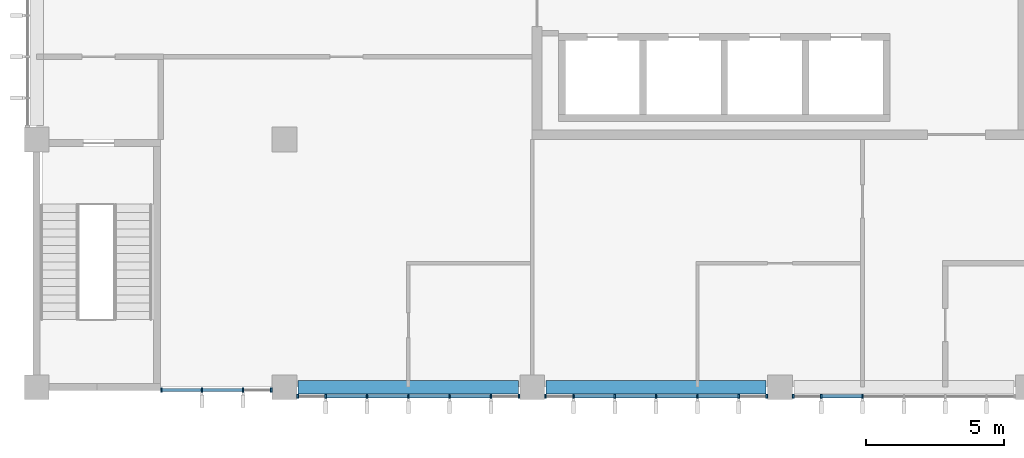
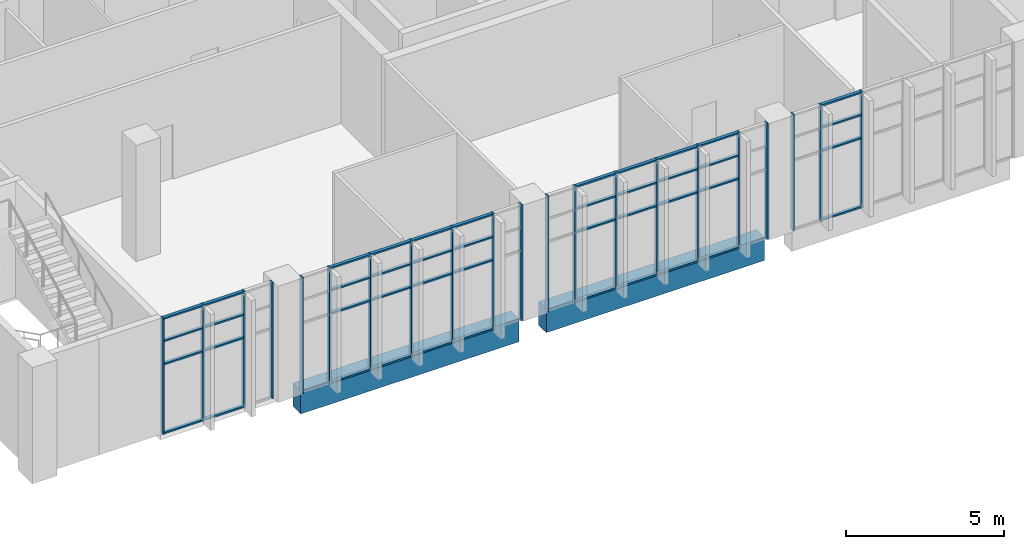
# One storey, part 31 of 106: 65 members, 2 beams, 4 elements without a shape of their own.
"""IFC4 building model written with IfcOpenShell, lengths in metres."""

from ifc_helpers import new_model, si_unit, direction, frame, origin, origin_2d, place, context, subcontext, project, spatial, rectangle, extrude, material, layer, layer_set, material_profile, profile_set, type_object, element, aggregate, save


model = new_model("IFC4")

# Units and contexts
model_context = context("Model", 3, precision=1e-05, world=origin(), true_north=direction((0.0, 1.0)))
body_context = subcontext(model_context, "Body", "Model", "MODEL_VIEW")
ifc_project = project(units=[si_unit("LENGTHUNIT", "METRE"), si_unit("AREAUNIT", "SQUARE_METRE"), si_unit("VOLUMEUNIT", "CUBIC_METRE"), si_unit("PLANEANGLEUNIT", "RADIAN"), si_unit("MASSUNIT", "GRAM", prefix="KILO")], contexts=[model_context])

# Site, building, storey
site_placement = place(None, origin())
site = spatial("IfcSite", under=ifc_project, at=site_placement, CompositionType="ELEMENT")
building_placement = place(site_placement, origin())
building = spatial("IfcBuilding", under=site, at=building_placement, Name="Guidao Yard Department Store", CompositionType="ELEMENT")
storey_placement = place(building_placement, frame((0.0, 0.0, 10.5)))
storey = spatial("IfcBuildingStorey", under=building, at=storey_placement, Name="L02", CompositionType="ELEMENT", Elevation=10.5)

# Curtain wall, members
ifc_material_1 = material(Name="Aluminium and glass", Category="aluminium")
ifc_layer = layer(ifc_material_1, 0.159912109375)
ifc_layer_set = layer_set([ifc_layer], Name="Unitised curtain wall CW4 1500 module")
curtain_wall_type = type_object("IfcCurtainWallType", Name="Unitised curtain wall CW4 1500 module", PredefinedType="NOTDEFINED", material=ifc_layer_set)
curtain_wall_1_placement = place(storey_placement, origin())
curtain_wall_1 = element("IfcCurtainWall", 1, at=curtain_wall_1_placement, inside=storey, type_object=curtain_wall_type, Name="Unitised curtain wall", PredefinedType="NOTDEFINED")
ifc_material_2 = material(Name="Aluminium 6063-T5", Category="aluminium")
ifc_material_profile_1 = material_profile(ifc_material_2, rectangle(XDim=0.06005859375, YDim=0.159912109375, at=origin_2d()), Name="Mullion M1 60 x 160 aluminium pressure plate")
ifc_profile_set_1 = profile_set([ifc_material_profile_1], Name="Aluminium 6063-T5")
member_type_1 = type_object("IfcMemberType", Name="Mullion M1 60 x 160 aluminium pressure plate", PredefinedType="MULLION", material=ifc_profile_set_1)
member_1_placement = place(storey_placement, frame((130.530029296875, -0.10009765625, 0.0), z_axis=(0.0, 0.0, 1.0), x_axis=(-1.0, 0.0, 0.0)))
member_1 = element("IfcMember", 2, at=member_1_placement, type_object=member_type_1, Name="CW-OW-L02-01 mullion 1", PredefinedType="MULLION", context=body_context, shape_type="SweptSolid", body=[
    extrude(rectangle(XDim=0.06005859375, YDim=0.159912109375, at=origin_2d()), origin(), (0.0, 0.0, 1.0), 4.5),
])
member_2_placement = place(storey_placement, frame((132.0, -0.10009765625, 0.0), z_axis=(0.0, 0.0, 1.0), x_axis=(-1.0, 0.0, 0.0)))
member_2 = element("IfcMember", 3, at=member_2_placement, type_object=member_type_1, Name="CW-OW-L02-01 mullion 2", PredefinedType="MULLION", context=body_context, shape_type="SweptSolid", body=[
    extrude(rectangle(XDim=0.06005859375, YDim=0.159912109375, at=origin_2d()), origin(), (0.0, 0.0, 1.0), 4.5),
])
member_3_placement = place(storey_placement, frame((133.5, -0.10009765625, 0.0), z_axis=(0.0, 0.0, 1.0), x_axis=(-1.0, 0.0, 0.0)))
member_3 = element("IfcMember", 4, at=member_3_placement, type_object=member_type_1, Name="CW-OW-L02-01 mullion 3", PredefinedType="MULLION", context=body_context, shape_type="SweptSolid", body=[
    extrude(rectangle(XDim=0.06005859375, YDim=0.159912109375, at=origin_2d()), origin(), (0.0, 0.0, 1.0), 4.5),
])
member_4_placement = place(storey_placement, frame((134.52001953125, -0.10009765625, 0.0), z_axis=(0.0, 0.0, 1.0), x_axis=(-1.0, 0.0, 0.0)))
member_4 = element("IfcMember", 5, at=member_4_placement, type_object=member_type_1, Name="CW-OW-L02-01 mullion 4", PredefinedType="MULLION", context=body_context, shape_type="SweptSolid", body=[
    extrude(rectangle(XDim=0.06005859375, YDim=0.159912109375, at=origin_2d()), origin(), (0.0, 0.0, 1.0), 4.5),
])

curtain_wall_2_placement = place(storey_placement, origin())
curtain_wall_2 = element("IfcCurtainWall", 6, at=curtain_wall_2_placement, inside=storey, type_object=curtain_wall_type, Name="Unitised curtain wall", PredefinedType="NOTDEFINED")
member_5_placement = place(storey_placement, frame((135.47998046875, -0.330078125, 0.0), z_axis=(0.0, 0.0, 1.0), x_axis=(-1.0, 0.0, 0.0)))
member_5 = element("IfcMember", 7, at=member_5_placement, type_object=member_type_1, Name="CW-OW-L02-02 mullion 1", PredefinedType="MULLION", context=body_context, shape_type="SweptSolid", body=[
    extrude(rectangle(XDim=0.06005859375, YDim=0.159912109375, at=origin_2d()), origin(), (0.0, 0.0, 1.0), 4.5),
])
member_6_placement = place(storey_placement, frame((136.5, -0.330078125, 0.0), z_axis=(0.0, 0.0, 1.0), x_axis=(-1.0, 0.0, 0.0)))
member_6 = element("IfcMember", 8, at=member_6_placement, type_object=member_type_1, Name="CW-OW-L02-02 mullion 2", PredefinedType="MULLION", context=body_context, shape_type="SweptSolid", body=[
    extrude(rectangle(XDim=0.06005859375, YDim=0.159912109375, at=origin_2d()), origin(), (0.0, 0.0, 1.0), 4.5),
])
member_7_placement = place(storey_placement, frame((138.0, -0.330078125, 0.0), z_axis=(0.0, 0.0, 1.0), x_axis=(-1.0, 0.0, 0.0)))
member_7 = element("IfcMember", 9, at=member_7_placement, type_object=member_type_1, Name="CW-OW-L02-02 mullion 3", PredefinedType="MULLION", context=body_context, shape_type="SweptSolid", body=[
    extrude(rectangle(XDim=0.06005859375, YDim=0.159912109375, at=origin_2d()), origin(), (0.0, 0.0, 1.0), 4.5),
])
member_8_placement = place(storey_placement, frame((139.5, -0.330078125, 0.0), z_axis=(0.0, 0.0, 1.0), x_axis=(-1.0, 0.0, 0.0)))
member_8 = element("IfcMember", 10, at=member_8_placement, type_object=member_type_1, Name="CW-OW-L02-02 mullion 4", PredefinedType="MULLION", context=body_context, shape_type="SweptSolid", body=[
    extrude(rectangle(XDim=0.06005859375, YDim=0.159912109375, at=origin_2d()), origin(), (0.0, 0.0, 1.0), 4.5),
])
member_9_placement = place(storey_placement, frame((141.0, -0.330078125, 0.0), z_axis=(0.0, 0.0, 1.0), x_axis=(-1.0, 0.0, 0.0)))
member_9 = element("IfcMember", 11, at=member_9_placement, type_object=member_type_1, Name="CW-OW-L02-02 mullion 5", PredefinedType="MULLION", context=body_context, shape_type="SweptSolid", body=[
    extrude(rectangle(XDim=0.06005859375, YDim=0.159912109375, at=origin_2d()), origin(), (0.0, 0.0, 1.0), 4.5),
])
member_10_placement = place(storey_placement, frame((142.5, -0.330078125, 0.0), z_axis=(0.0, 0.0, 1.0), x_axis=(-1.0, 0.0, 0.0)))
member_10 = element("IfcMember", 12, at=member_10_placement, type_object=member_type_1, Name="CW-OW-L02-02 mullion 6", PredefinedType="MULLION", context=body_context, shape_type="SweptSolid", body=[
    extrude(rectangle(XDim=0.06005859375, YDim=0.159912109375, at=origin_2d()), origin(), (0.0, 0.0, 1.0), 4.5),
])
member_11_placement = place(storey_placement, frame((143.52001953125, -0.330078125, 0.0), z_axis=(0.0, 0.0, 1.0), x_axis=(-1.0, 0.0, 0.0)))
member_11 = element("IfcMember", 13, at=member_11_placement, type_object=member_type_1, Name="CW-OW-L02-02 mullion 7", PredefinedType="MULLION", context=body_context, shape_type="SweptSolid", body=[
    extrude(rectangle(XDim=0.06005859375, YDim=0.159912109375, at=origin_2d()), origin(), (0.0, 0.0, 1.0), 4.5),
])

curtain_wall_3_placement = place(storey_placement, origin())
curtain_wall_3 = element("IfcCurtainWall", 14, at=curtain_wall_3_placement, inside=storey, type_object=curtain_wall_type, Name="Unitised curtain wall", PredefinedType="NOTDEFINED")
member_12_placement = place(storey_placement, frame((144.47998046875, -0.330078125, 0.0), z_axis=(0.0, 0.0, 1.0), x_axis=(-1.0, 0.0, 0.0)))
member_12 = element("IfcMember", 15, at=member_12_placement, type_object=member_type_1, Name="CW-OW-L02-03 mullion 1", PredefinedType="MULLION", context=body_context, shape_type="SweptSolid", body=[
    extrude(rectangle(XDim=0.06005859375, YDim=0.159912109375, at=origin_2d()), origin(), (0.0, 0.0, 1.0), 4.5),
])
member_13_placement = place(storey_placement, frame((145.5, -0.330078125, 0.0), z_axis=(0.0, 0.0, 1.0), x_axis=(-1.0, 0.0, 0.0)))
member_13 = element("IfcMember", 16, at=member_13_placement, type_object=member_type_1, Name="CW-OW-L02-03 mullion 2", PredefinedType="MULLION", context=body_context, shape_type="SweptSolid", body=[
    extrude(rectangle(XDim=0.06005859375, YDim=0.159912109375, at=origin_2d()), origin(), (0.0, 0.0, 1.0), 4.5),
])
member_14_placement = place(storey_placement, frame((147.0, -0.330078125, 0.0), z_axis=(0.0, 0.0, 1.0), x_axis=(-1.0, 0.0, 0.0)))
member_14 = element("IfcMember", 17, at=member_14_placement, type_object=member_type_1, Name="CW-OW-L02-03 mullion 3", PredefinedType="MULLION", context=body_context, shape_type="SweptSolid", body=[
    extrude(rectangle(XDim=0.06005859375, YDim=0.159912109375, at=origin_2d()), origin(), (0.0, 0.0, 1.0), 4.5),
])
member_15_placement = place(storey_placement, frame((148.5, -0.330078125, 0.0), z_axis=(0.0, 0.0, 1.0), x_axis=(-1.0, 0.0, 0.0)))
member_15 = element("IfcMember", 18, at=member_15_placement, type_object=member_type_1, Name="CW-OW-L02-03 mullion 4", PredefinedType="MULLION", context=body_context, shape_type="SweptSolid", body=[
    extrude(rectangle(XDim=0.06005859375, YDim=0.159912109375, at=origin_2d()), origin(), (0.0, 0.0, 1.0), 4.5),
])
member_16_placement = place(storey_placement, frame((150.0, -0.330078125, 0.0), z_axis=(0.0, 0.0, 1.0), x_axis=(-1.0, 0.0, 0.0)))
member_16 = element("IfcMember", 19, at=member_16_placement, type_object=member_type_1, Name="CW-OW-L02-03 mullion 5", PredefinedType="MULLION", context=body_context, shape_type="SweptSolid", body=[
    extrude(rectangle(XDim=0.06005859375, YDim=0.159912109375, at=origin_2d()), origin(), (0.0, 0.0, 1.0), 4.5),
])
member_17_placement = place(storey_placement, frame((151.5, -0.330078125, 0.0), z_axis=(0.0, 0.0, 1.0), x_axis=(-1.0, 0.0, 0.0)))
member_17 = element("IfcMember", 20, at=member_17_placement, type_object=member_type_1, Name="CW-OW-L02-03 mullion 6", PredefinedType="MULLION", context=body_context, shape_type="SweptSolid", body=[
    extrude(rectangle(XDim=0.06005859375, YDim=0.159912109375, at=origin_2d()), origin(), (0.0, 0.0, 1.0), 4.5),
])
member_18_placement = place(storey_placement, frame((152.52001953125, -0.330078125, 0.0), z_axis=(0.0, 0.0, 1.0), x_axis=(-1.0, 0.0, 0.0)))
member_18 = element("IfcMember", 21, at=member_18_placement, type_object=member_type_1, Name="CW-OW-L02-03 mullion 7", PredefinedType="MULLION", context=body_context, shape_type="SweptSolid", body=[
    extrude(rectangle(XDim=0.06005859375, YDim=0.159912109375, at=origin_2d()), origin(), (0.0, 0.0, 1.0), 4.5),
])

curtain_wall_4_placement = place(storey_placement, origin())
curtain_wall_4 = element("IfcCurtainWall", 22, at=curtain_wall_4_placement, inside=storey, type_object=curtain_wall_type, Name="Unitised curtain wall", PredefinedType="NOTDEFINED")
member_19_placement = place(storey_placement, frame((153.47998046875, -0.330078125, 0.0), z_axis=(0.0, 0.0, 1.0), x_axis=(-1.0, 0.0, 0.0)))
member_19 = element("IfcMember", 23, at=member_19_placement, type_object=member_type_1, Name="CW-OW-L02-04 mullion 1", PredefinedType="MULLION", context=body_context, shape_type="SweptSolid", body=[
    extrude(rectangle(XDim=0.06005859375, YDim=0.159912109375, at=origin_2d()), origin(), (0.0, 0.0, 1.0), 4.5),
])
member_20_placement = place(storey_placement, frame((154.5, -0.330078125, 0.0), z_axis=(0.0, 0.0, 1.0), x_axis=(-1.0, 0.0, 0.0)))
member_20 = element("IfcMember", 24, at=member_20_placement, type_object=member_type_1, Name="CW-OW-L02-04 mullion 2", PredefinedType="MULLION", context=body_context, shape_type="SweptSolid", body=[
    extrude(rectangle(XDim=0.06005859375, YDim=0.159912109375, at=origin_2d()), origin(), (0.0, 0.0, 1.0), 4.5),
])
member_21_placement = place(storey_placement, frame((156.0, -0.330078125, 0.0), z_axis=(0.0, 0.0, 1.0), x_axis=(-1.0, 0.0, 0.0)))
member_21 = element("IfcMember", 25, at=member_21_placement, type_object=member_type_1, Name="CW-OW-L02-04 mullion 3", PredefinedType="MULLION", context=body_context, shape_type="SweptSolid", body=[
    extrude(rectangle(XDim=0.06005859375, YDim=0.159912109375, at=origin_2d()), origin(), (0.0, 0.0, 1.0), 4.5),
])

# Beams
ifc_material_3 = material(Name="Concrete C40", Category="concrete")
ifc_material_profile_2 = material_profile(ifc_material_3, rectangle(XDim=0.5, YDim=0.89990234375, at=origin_2d()), Name="Spandrel beam 500 x 900 C40")
ifc_profile_set_2 = profile_set([ifc_material_profile_2], Name="Concrete C40")
beam_type = type_object("IfcBeamType", Name="Spandrel beam 500 x 900 C40", PredefinedType="SPANDREL", material=ifc_profile_set_2)
for number, where, z_axis, x_axis, name in (
    (26, (135.5, 0.0, -0.449951171875), (1.0, 0.0, 0.0), (0.0, 1.0, 0.0), "Beam FB01"),
    (27, (144.5, 0.0, -0.449951171875), (1.0, 0.0, 0.0), (0.0, 1.0, 0.0), "Beam FB02"),
):
    element("IfcBeam", number, at=place(storey_placement, frame(where, z_axis=z_axis, x_axis=x_axis)), inside=storey, type_object=beam_type, Name=name, PredefinedType="SPANDREL", context=body_context, shape_type="SweptSolid", body=[
        extrude(rectangle(XDim=0.5, YDim=0.89990234375, at=origin_2d()), origin(), (0.0, 0.0, 1.0), 8.0),
    ])

# Member
ifc_material_4 = material(Name="Aluminium 6063-T5", Category="aluminium")
ifc_material_profile_3 = material_profile(ifc_material_4, rectangle(XDim=0.1201171875, YDim=0.06005859375, at=origin_2d()), Name="Transom T1 60 x 120 aluminium pressure plate")
ifc_profile_set_3 = profile_set([ifc_material_profile_3], Name="Aluminium 6063-T5")
member_type_2 = type_object("IfcMemberType", Name="Transom T1 60 x 120 aluminium pressure plate", PredefinedType="USERDEFINED", material=ifc_profile_set_3)
member_22_placement = place(storey_placement, frame((131.969970703125, -0.10009765625, 0.030029296875), z_axis=(-1.0, 0.0, 0.0), x_axis=(0.0, -1.0, 0.0)))
member_22 = element("IfcMember", 28, at=member_22_placement, type_object=member_type_2, Name="CW-OW-L02-01 transom 1.1", ObjectType="TRANSOM", PredefinedType="USERDEFINED", context=body_context, shape_type="SweptSolid", body=[
    extrude(rectangle(XDim=0.1201171875, YDim=0.06005859375, at=origin_2d()), origin(), (0.0, 0.0, 1.0), 1.409912109375),
])

member_23_placement = place(storey_placement, frame((131.969970703125, -0.10009765625, 2.699951171875), z_axis=(-1.0, 0.0, 0.0), x_axis=(0.0, -1.0, 0.0)))
member_23 = element("IfcMember", 29, at=member_23_placement, type_object=member_type_2, Name="CW-OW-L02-01 transom 1.2", ObjectType="TRANSOM", PredefinedType="USERDEFINED", context=body_context, shape_type="SweptSolid", body=[
    extrude(rectangle(XDim=0.1201171875, YDim=0.06005859375, at=origin_2d()), origin(), (0.0, 0.0, 1.0), 1.409912109375),
])

member_24_placement = place(storey_placement, frame((131.969970703125, -0.10009765625, 3.60009765625), z_axis=(-1.0, 0.0, 0.0), x_axis=(0.0, -1.0, 0.0)))
member_24 = element("IfcMember", 30, at=member_24_placement, type_object=member_type_2, Name="CW-OW-L02-01 transom 1.3", ObjectType="TRANSOM", PredefinedType="USERDEFINED", context=body_context, shape_type="SweptSolid", body=[
    extrude(rectangle(XDim=0.1201171875, YDim=0.06005859375, at=origin_2d()), origin(), (0.0, 0.0, 1.0), 1.409912109375),
])

member_25_placement = place(storey_placement, frame((131.969970703125, -0.10009765625, 4.469970703125), z_axis=(-1.0, 0.0, 0.0), x_axis=(0.0, -1.0, 0.0)))
member_25 = element("IfcMember", 31, at=member_25_placement, type_object=member_type_2, Name="CW-OW-L02-01 transom 1.4", ObjectType="TRANSOM", PredefinedType="USERDEFINED", context=body_context, shape_type="SweptSolid", body=[
    extrude(rectangle(XDim=0.1201171875, YDim=0.06005859375, at=origin_2d()), origin(), (0.0, 0.0, 1.0), 1.409912109375),
])

member_26_placement = place(storey_placement, frame((133.469970703125, -0.10009765625, 0.030029296875), z_axis=(-1.0, 0.0, 0.0), x_axis=(0.0, -1.0, 0.0)))
member_26 = element("IfcMember", 32, at=member_26_placement, type_object=member_type_2, Name="CW-OW-L02-01 transom 2.1", ObjectType="TRANSOM", PredefinedType="USERDEFINED", context=body_context, shape_type="SweptSolid", body=[
    extrude(rectangle(XDim=0.1201171875, YDim=0.06005859375, at=origin_2d()), origin(), (0.0, 0.0, 1.0), 1.43994140625),
])

member_27_placement = place(storey_placement, frame((133.469970703125, -0.10009765625, 2.699951171875), z_axis=(-1.0, 0.0, 0.0), x_axis=(0.0, -1.0, 0.0)))
member_27 = element("IfcMember", 33, at=member_27_placement, type_object=member_type_2, Name="CW-OW-L02-01 transom 2.2", ObjectType="TRANSOM", PredefinedType="USERDEFINED", context=body_context, shape_type="SweptSolid", body=[
    extrude(rectangle(XDim=0.1201171875, YDim=0.06005859375, at=origin_2d()), origin(), (0.0, 0.0, 1.0), 1.43994140625),
])

member_28_placement = place(storey_placement, frame((133.469970703125, -0.10009765625, 3.60009765625), z_axis=(-1.0, 0.0, 0.0), x_axis=(0.0, -1.0, 0.0)))
member_28 = element("IfcMember", 34, at=member_28_placement, type_object=member_type_2, Name="CW-OW-L02-01 transom 2.3", ObjectType="TRANSOM", PredefinedType="USERDEFINED", context=body_context, shape_type="SweptSolid", body=[
    extrude(rectangle(XDim=0.1201171875, YDim=0.06005859375, at=origin_2d()), origin(), (0.0, 0.0, 1.0), 1.43994140625),
])

member_29_placement = place(storey_placement, frame((133.469970703125, -0.10009765625, 4.469970703125), z_axis=(-1.0, 0.0, 0.0), x_axis=(0.0, -1.0, 0.0)))
member_29 = element("IfcMember", 35, at=member_29_placement, type_object=member_type_2, Name="CW-OW-L02-01 transom 2.4", ObjectType="TRANSOM", PredefinedType="USERDEFINED", context=body_context, shape_type="SweptSolid", body=[
    extrude(rectangle(XDim=0.1201171875, YDim=0.06005859375, at=origin_2d()), origin(), (0.0, 0.0, 1.0), 1.43994140625),
])

aggregate(curtain_wall_1, [member_1, member_2, member_3, member_4, member_22, member_23, member_24, member_25, member_26, member_27, member_28, member_29])

member_30_placement = place(storey_placement, frame((137.969970703125, -0.330078125, 0.030029296875), z_axis=(-1.0, 0.0, 0.0), x_axis=(0.0, -1.0, 0.0)))
member_30 = element("IfcMember", 36, at=member_30_placement, type_object=member_type_2, Name="CW-OW-L02-02 transom 2.1", ObjectType="TRANSOM", PredefinedType="USERDEFINED", context=body_context, shape_type="SweptSolid", body=[
    extrude(rectangle(XDim=0.1201171875, YDim=0.06005859375, at=origin_2d()), origin(), (0.0, 0.0, 1.0), 1.43994140625),
])

member_31_placement = place(storey_placement, frame((137.969970703125, -0.330078125, 2.699951171875), z_axis=(-1.0, 0.0, 0.0), x_axis=(0.0, -1.0, 0.0)))
member_31 = element("IfcMember", 37, at=member_31_placement, type_object=member_type_2, Name="CW-OW-L02-02 transom 2.2", ObjectType="TRANSOM", PredefinedType="USERDEFINED", context=body_context, shape_type="SweptSolid", body=[
    extrude(rectangle(XDim=0.1201171875, YDim=0.06005859375, at=origin_2d()), origin(), (0.0, 0.0, 1.0), 1.43994140625),
])

member_32_placement = place(storey_placement, frame((137.969970703125, -0.330078125, 3.60009765625), z_axis=(-1.0, 0.0, 0.0), x_axis=(0.0, -1.0, 0.0)))
member_32 = element("IfcMember", 38, at=member_32_placement, type_object=member_type_2, Name="CW-OW-L02-02 transom 2.3", ObjectType="TRANSOM", PredefinedType="USERDEFINED", context=body_context, shape_type="SweptSolid", body=[
    extrude(rectangle(XDim=0.1201171875, YDim=0.06005859375, at=origin_2d()), origin(), (0.0, 0.0, 1.0), 1.43994140625),
])

member_33_placement = place(storey_placement, frame((137.969970703125, -0.330078125, 4.469970703125), z_axis=(-1.0, 0.0, 0.0), x_axis=(0.0, -1.0, 0.0)))
member_33 = element("IfcMember", 39, at=member_33_placement, type_object=member_type_2, Name="CW-OW-L02-02 transom 2.4", ObjectType="TRANSOM", PredefinedType="USERDEFINED", context=body_context, shape_type="SweptSolid", body=[
    extrude(rectangle(XDim=0.1201171875, YDim=0.06005859375, at=origin_2d()), origin(), (0.0, 0.0, 1.0), 1.43994140625),
])

member_34_placement = place(storey_placement, frame((139.469970703125, -0.330078125, 0.030029296875), z_axis=(-1.0, 0.0, 0.0), x_axis=(0.0, -1.0, 0.0)))
member_34 = element("IfcMember", 40, at=member_34_placement, type_object=member_type_2, Name="CW-OW-L02-02 transom 3.1", ObjectType="TRANSOM", PredefinedType="USERDEFINED", context=body_context, shape_type="SweptSolid", body=[
    extrude(rectangle(XDim=0.1201171875, YDim=0.06005859375, at=origin_2d()), origin(), (0.0, 0.0, 1.0), 1.43994140625),
])

member_35_placement = place(storey_placement, frame((139.469970703125, -0.330078125, 2.699951171875), z_axis=(-1.0, 0.0, 0.0), x_axis=(0.0, -1.0, 0.0)))
member_35 = element("IfcMember", 41, at=member_35_placement, type_object=member_type_2, Name="CW-OW-L02-02 transom 3.2", ObjectType="TRANSOM", PredefinedType="USERDEFINED", context=body_context, shape_type="SweptSolid", body=[
    extrude(rectangle(XDim=0.1201171875, YDim=0.06005859375, at=origin_2d()), origin(), (0.0, 0.0, 1.0), 1.43994140625),
])

member_36_placement = place(storey_placement, frame((139.469970703125, -0.330078125, 3.60009765625), z_axis=(-1.0, 0.0, 0.0), x_axis=(0.0, -1.0, 0.0)))
member_36 = element("IfcMember", 42, at=member_36_placement, type_object=member_type_2, Name="CW-OW-L02-02 transom 3.3", ObjectType="TRANSOM", PredefinedType="USERDEFINED", context=body_context, shape_type="SweptSolid", body=[
    extrude(rectangle(XDim=0.1201171875, YDim=0.06005859375, at=origin_2d()), origin(), (0.0, 0.0, 1.0), 1.43994140625),
])

member_37_placement = place(storey_placement, frame((139.469970703125, -0.330078125, 4.469970703125), z_axis=(-1.0, 0.0, 0.0), x_axis=(0.0, -1.0, 0.0)))
member_37 = element("IfcMember", 43, at=member_37_placement, type_object=member_type_2, Name="CW-OW-L02-02 transom 3.4", ObjectType="TRANSOM", PredefinedType="USERDEFINED", context=body_context, shape_type="SweptSolid", body=[
    extrude(rectangle(XDim=0.1201171875, YDim=0.06005859375, at=origin_2d()), origin(), (0.0, 0.0, 1.0), 1.43994140625),
])

member_38_placement = place(storey_placement, frame((140.969970703125, -0.330078125, 0.030029296875), z_axis=(-1.0, 0.0, 0.0), x_axis=(0.0, -1.0, 0.0)))
member_38 = element("IfcMember", 44, at=member_38_placement, type_object=member_type_2, Name="CW-OW-L02-02 transom 4.1", ObjectType="TRANSOM", PredefinedType="USERDEFINED", context=body_context, shape_type="SweptSolid", body=[
    extrude(rectangle(XDim=0.1201171875, YDim=0.06005859375, at=origin_2d()), origin(), (0.0, 0.0, 1.0), 1.43994140625),
])

member_39_placement = place(storey_placement, frame((140.969970703125, -0.330078125, 2.699951171875), z_axis=(-1.0, 0.0, 0.0), x_axis=(0.0, -1.0, 0.0)))
member_39 = element("IfcMember", 45, at=member_39_placement, type_object=member_type_2, Name="CW-OW-L02-02 transom 4.2", ObjectType="TRANSOM", PredefinedType="USERDEFINED", context=body_context, shape_type="SweptSolid", body=[
    extrude(rectangle(XDim=0.1201171875, YDim=0.06005859375, at=origin_2d()), origin(), (0.0, 0.0, 1.0), 1.43994140625),
])

member_40_placement = place(storey_placement, frame((140.969970703125, -0.330078125, 3.60009765625), z_axis=(-1.0, 0.0, 0.0), x_axis=(0.0, -1.0, 0.0)))
member_40 = element("IfcMember", 46, at=member_40_placement, type_object=member_type_2, Name="CW-OW-L02-02 transom 4.3", ObjectType="TRANSOM", PredefinedType="USERDEFINED", context=body_context, shape_type="SweptSolid", body=[
    extrude(rectangle(XDim=0.1201171875, YDim=0.06005859375, at=origin_2d()), origin(), (0.0, 0.0, 1.0), 1.43994140625),
])

member_41_placement = place(storey_placement, frame((140.969970703125, -0.330078125, 4.469970703125), z_axis=(-1.0, 0.0, 0.0), x_axis=(0.0, -1.0, 0.0)))
member_41 = element("IfcMember", 47, at=member_41_placement, type_object=member_type_2, Name="CW-OW-L02-02 transom 4.4", ObjectType="TRANSOM", PredefinedType="USERDEFINED", context=body_context, shape_type="SweptSolid", body=[
    extrude(rectangle(XDim=0.1201171875, YDim=0.06005859375, at=origin_2d()), origin(), (0.0, 0.0, 1.0), 1.43994140625),
])

member_42_placement = place(storey_placement, frame((142.469970703125, -0.330078125, 0.030029296875), z_axis=(-1.0, 0.0, 0.0), x_axis=(0.0, -1.0, 0.0)))
member_42 = element("IfcMember", 48, at=member_42_placement, type_object=member_type_2, Name="CW-OW-L02-02 transom 5.1", ObjectType="TRANSOM", PredefinedType="USERDEFINED", context=body_context, shape_type="SweptSolid", body=[
    extrude(rectangle(XDim=0.1201171875, YDim=0.06005859375, at=origin_2d()), origin(), (0.0, 0.0, 1.0), 1.43994140625),
])

member_43_placement = place(storey_placement, frame((142.469970703125, -0.330078125, 2.699951171875), z_axis=(-1.0, 0.0, 0.0), x_axis=(0.0, -1.0, 0.0)))
member_43 = element("IfcMember", 49, at=member_43_placement, type_object=member_type_2, Name="CW-OW-L02-02 transom 5.2", ObjectType="TRANSOM", PredefinedType="USERDEFINED", context=body_context, shape_type="SweptSolid", body=[
    extrude(rectangle(XDim=0.1201171875, YDim=0.06005859375, at=origin_2d()), origin(), (0.0, 0.0, 1.0), 1.43994140625),
])

member_44_placement = place(storey_placement, frame((142.469970703125, -0.330078125, 3.60009765625), z_axis=(-1.0, 0.0, 0.0), x_axis=(0.0, -1.0, 0.0)))
member_44 = element("IfcMember", 50, at=member_44_placement, type_object=member_type_2, Name="CW-OW-L02-02 transom 5.3", ObjectType="TRANSOM", PredefinedType="USERDEFINED", context=body_context, shape_type="SweptSolid", body=[
    extrude(rectangle(XDim=0.1201171875, YDim=0.06005859375, at=origin_2d()), origin(), (0.0, 0.0, 1.0), 1.43994140625),
])

member_45_placement = place(storey_placement, frame((142.469970703125, -0.330078125, 4.469970703125), z_axis=(-1.0, 0.0, 0.0), x_axis=(0.0, -1.0, 0.0)))
member_45 = element("IfcMember", 51, at=member_45_placement, type_object=member_type_2, Name="CW-OW-L02-02 transom 5.4", ObjectType="TRANSOM", PredefinedType="USERDEFINED", context=body_context, shape_type="SweptSolid", body=[
    extrude(rectangle(XDim=0.1201171875, YDim=0.06005859375, at=origin_2d()), origin(), (0.0, 0.0, 1.0), 1.43994140625),
])

aggregate(curtain_wall_2, [member_5, member_6, member_7, member_8, member_9, member_10, member_11, member_30, member_31, member_32, member_33, member_34, member_35, member_36, member_37, member_38, member_39, member_40, member_41, member_42, member_43, member_44, member_45])

member_46_placement = place(storey_placement, frame((146.969970703125, -0.330078125, 0.030029296875), z_axis=(-1.0, 0.0, 0.0), x_axis=(0.0, -1.0, 0.0)))
member_46 = element("IfcMember", 52, at=member_46_placement, type_object=member_type_2, Name="CW-OW-L02-03 transom 2.1", ObjectType="TRANSOM", PredefinedType="USERDEFINED", context=body_context, shape_type="SweptSolid", body=[
    extrude(rectangle(XDim=0.1201171875, YDim=0.06005859375, at=origin_2d()), origin(), (0.0, 0.0, 1.0), 1.43994140625),
])

member_47_placement = place(storey_placement, frame((146.969970703125, -0.330078125, 2.699951171875), z_axis=(-1.0, 0.0, 0.0), x_axis=(0.0, -1.0, 0.0)))
member_47 = element("IfcMember", 53, at=member_47_placement, type_object=member_type_2, Name="CW-OW-L02-03 transom 2.2", ObjectType="TRANSOM", PredefinedType="USERDEFINED", context=body_context, shape_type="SweptSolid", body=[
    extrude(rectangle(XDim=0.1201171875, YDim=0.06005859375, at=origin_2d()), origin(), (0.0, 0.0, 1.0), 1.43994140625),
])

member_48_placement = place(storey_placement, frame((146.969970703125, -0.330078125, 3.60009765625), z_axis=(-1.0, 0.0, 0.0), x_axis=(0.0, -1.0, 0.0)))
member_48 = element("IfcMember", 54, at=member_48_placement, type_object=member_type_2, Name="CW-OW-L02-03 transom 2.3", ObjectType="TRANSOM", PredefinedType="USERDEFINED", context=body_context, shape_type="SweptSolid", body=[
    extrude(rectangle(XDim=0.1201171875, YDim=0.06005859375, at=origin_2d()), origin(), (0.0, 0.0, 1.0), 1.43994140625),
])

member_49_placement = place(storey_placement, frame((146.969970703125, -0.330078125, 4.469970703125), z_axis=(-1.0, 0.0, 0.0), x_axis=(0.0, -1.0, 0.0)))
member_49 = element("IfcMember", 55, at=member_49_placement, type_object=member_type_2, Name="CW-OW-L02-03 transom 2.4", ObjectType="TRANSOM", PredefinedType="USERDEFINED", context=body_context, shape_type="SweptSolid", body=[
    extrude(rectangle(XDim=0.1201171875, YDim=0.06005859375, at=origin_2d()), origin(), (0.0, 0.0, 1.0), 1.43994140625),
])

member_50_placement = place(storey_placement, frame((148.469970703125, -0.330078125, 0.030029296875), z_axis=(-1.0, 0.0, 0.0), x_axis=(0.0, -1.0, 0.0)))
member_50 = element("IfcMember", 56, at=member_50_placement, type_object=member_type_2, Name="CW-OW-L02-03 transom 3.1", ObjectType="TRANSOM", PredefinedType="USERDEFINED", context=body_context, shape_type="SweptSolid", body=[
    extrude(rectangle(XDim=0.1201171875, YDim=0.06005859375, at=origin_2d()), origin(), (0.0, 0.0, 1.0), 1.43994140625),
])

member_51_placement = place(storey_placement, frame((148.469970703125, -0.330078125, 2.699951171875), z_axis=(-1.0, 0.0, 0.0), x_axis=(0.0, -1.0, 0.0)))
member_51 = element("IfcMember", 57, at=member_51_placement, type_object=member_type_2, Name="CW-OW-L02-03 transom 3.2", ObjectType="TRANSOM", PredefinedType="USERDEFINED", context=body_context, shape_type="SweptSolid", body=[
    extrude(rectangle(XDim=0.1201171875, YDim=0.06005859375, at=origin_2d()), origin(), (0.0, 0.0, 1.0), 1.43994140625),
])

member_52_placement = place(storey_placement, frame((148.469970703125, -0.330078125, 3.60009765625), z_axis=(-1.0, 0.0, 0.0), x_axis=(0.0, -1.0, 0.0)))
member_52 = element("IfcMember", 58, at=member_52_placement, type_object=member_type_2, Name="CW-OW-L02-03 transom 3.3", ObjectType="TRANSOM", PredefinedType="USERDEFINED", context=body_context, shape_type="SweptSolid", body=[
    extrude(rectangle(XDim=0.1201171875, YDim=0.06005859375, at=origin_2d()), origin(), (0.0, 0.0, 1.0), 1.43994140625),
])

member_53_placement = place(storey_placement, frame((148.469970703125, -0.330078125, 4.469970703125), z_axis=(-1.0, 0.0, 0.0), x_axis=(0.0, -1.0, 0.0)))
member_53 = element("IfcMember", 59, at=member_53_placement, type_object=member_type_2, Name="CW-OW-L02-03 transom 3.4", ObjectType="TRANSOM", PredefinedType="USERDEFINED", context=body_context, shape_type="SweptSolid", body=[
    extrude(rectangle(XDim=0.1201171875, YDim=0.06005859375, at=origin_2d()), origin(), (0.0, 0.0, 1.0), 1.43994140625),
])

member_54_placement = place(storey_placement, frame((149.969970703125, -0.330078125, 0.030029296875), z_axis=(-1.0, 0.0, 0.0), x_axis=(0.0, -1.0, 0.0)))
member_54 = element("IfcMember", 60, at=member_54_placement, type_object=member_type_2, Name="CW-OW-L02-03 transom 4.1", ObjectType="TRANSOM", PredefinedType="USERDEFINED", context=body_context, shape_type="SweptSolid", body=[
    extrude(rectangle(XDim=0.1201171875, YDim=0.06005859375, at=origin_2d()), origin(), (0.0, 0.0, 1.0), 1.43994140625),
])

member_55_placement = place(storey_placement, frame((149.969970703125, -0.330078125, 2.699951171875), z_axis=(-1.0, 0.0, 0.0), x_axis=(0.0, -1.0, 0.0)))
member_55 = element("IfcMember", 61, at=member_55_placement, type_object=member_type_2, Name="CW-OW-L02-03 transom 4.2", ObjectType="TRANSOM", PredefinedType="USERDEFINED", context=body_context, shape_type="SweptSolid", body=[
    extrude(rectangle(XDim=0.1201171875, YDim=0.06005859375, at=origin_2d()), origin(), (0.0, 0.0, 1.0), 1.43994140625),
])

member_56_placement = place(storey_placement, frame((149.969970703125, -0.330078125, 3.60009765625), z_axis=(-1.0, 0.0, 0.0), x_axis=(0.0, -1.0, 0.0)))
member_56 = element("IfcMember", 62, at=member_56_placement, type_object=member_type_2, Name="CW-OW-L02-03 transom 4.3", ObjectType="TRANSOM", PredefinedType="USERDEFINED", context=body_context, shape_type="SweptSolid", body=[
    extrude(rectangle(XDim=0.1201171875, YDim=0.06005859375, at=origin_2d()), origin(), (0.0, 0.0, 1.0), 1.43994140625),
])

member_57_placement = place(storey_placement, frame((149.969970703125, -0.330078125, 4.469970703125), z_axis=(-1.0, 0.0, 0.0), x_axis=(0.0, -1.0, 0.0)))
member_57 = element("IfcMember", 63, at=member_57_placement, type_object=member_type_2, Name="CW-OW-L02-03 transom 4.4", ObjectType="TRANSOM", PredefinedType="USERDEFINED", context=body_context, shape_type="SweptSolid", body=[
    extrude(rectangle(XDim=0.1201171875, YDim=0.06005859375, at=origin_2d()), origin(), (0.0, 0.0, 1.0), 1.43994140625),
])

member_58_placement = place(storey_placement, frame((151.469970703125, -0.330078125, 0.030029296875), z_axis=(-1.0, 0.0, 0.0), x_axis=(0.0, -1.0, 0.0)))
member_58 = element("IfcMember", 64, at=member_58_placement, type_object=member_type_2, Name="CW-OW-L02-03 transom 5.1", ObjectType="TRANSOM", PredefinedType="USERDEFINED", context=body_context, shape_type="SweptSolid", body=[
    extrude(rectangle(XDim=0.1201171875, YDim=0.06005859375, at=origin_2d()), origin(), (0.0, 0.0, 1.0), 1.43994140625),
])

member_59_placement = place(storey_placement, frame((151.469970703125, -0.330078125, 2.699951171875), z_axis=(-1.0, 0.0, 0.0), x_axis=(0.0, -1.0, 0.0)))
member_59 = element("IfcMember", 65, at=member_59_placement, type_object=member_type_2, Name="CW-OW-L02-03 transom 5.2", ObjectType="TRANSOM", PredefinedType="USERDEFINED", context=body_context, shape_type="SweptSolid", body=[
    extrude(rectangle(XDim=0.1201171875, YDim=0.06005859375, at=origin_2d()), origin(), (0.0, 0.0, 1.0), 1.43994140625),
])

member_60_placement = place(storey_placement, frame((151.469970703125, -0.330078125, 3.60009765625), z_axis=(-1.0, 0.0, 0.0), x_axis=(0.0, -1.0, 0.0)))
member_60 = element("IfcMember", 66, at=member_60_placement, type_object=member_type_2, Name="CW-OW-L02-03 transom 5.3", ObjectType="TRANSOM", PredefinedType="USERDEFINED", context=body_context, shape_type="SweptSolid", body=[
    extrude(rectangle(XDim=0.1201171875, YDim=0.06005859375, at=origin_2d()), origin(), (0.0, 0.0, 1.0), 1.43994140625),
])

member_61_placement = place(storey_placement, frame((151.469970703125, -0.330078125, 4.469970703125), z_axis=(-1.0, 0.0, 0.0), x_axis=(0.0, -1.0, 0.0)))
member_61 = element("IfcMember", 67, at=member_61_placement, type_object=member_type_2, Name="CW-OW-L02-03 transom 5.4", ObjectType="TRANSOM", PredefinedType="USERDEFINED", context=body_context, shape_type="SweptSolid", body=[
    extrude(rectangle(XDim=0.1201171875, YDim=0.06005859375, at=origin_2d()), origin(), (0.0, 0.0, 1.0), 1.43994140625),
])

aggregate(curtain_wall_3, [member_12, member_13, member_14, member_15, member_16, member_17, member_18, member_46, member_47, member_48, member_49, member_50, member_51, member_52, member_53, member_54, member_55, member_56, member_57, member_58, member_59, member_60, member_61])

member_62_placement = place(storey_placement, frame((155.969970703125, -0.330078125, 0.030029296875), z_axis=(-1.0, 0.0, 0.0), x_axis=(0.0, -1.0, 0.0)))
member_62 = element("IfcMember", 68, at=member_62_placement, type_object=member_type_2, Name="CW-OW-L02-04 transom 2.1", ObjectType="TRANSOM", PredefinedType="USERDEFINED", context=body_context, shape_type="SweptSolid", body=[
    extrude(rectangle(XDim=0.1201171875, YDim=0.06005859375, at=origin_2d()), origin(), (0.0, 0.0, 1.0), 1.43994140625),
])

member_63_placement = place(storey_placement, frame((155.969970703125, -0.330078125, 2.699951171875), z_axis=(-1.0, 0.0, 0.0), x_axis=(0.0, -1.0, 0.0)))
member_63 = element("IfcMember", 69, at=member_63_placement, type_object=member_type_2, Name="CW-OW-L02-04 transom 2.2", ObjectType="TRANSOM", PredefinedType="USERDEFINED", context=body_context, shape_type="SweptSolid", body=[
    extrude(rectangle(XDim=0.1201171875, YDim=0.06005859375, at=origin_2d()), origin(), (0.0, 0.0, 1.0), 1.43994140625),
])

member_64_placement = place(storey_placement, frame((155.969970703125, -0.330078125, 3.60009765625), z_axis=(-1.0, 0.0, 0.0), x_axis=(0.0, -1.0, 0.0)))
member_64 = element("IfcMember", 70, at=member_64_placement, type_object=member_type_2, Name="CW-OW-L02-04 transom 2.3", ObjectType="TRANSOM", PredefinedType="USERDEFINED", context=body_context, shape_type="SweptSolid", body=[
    extrude(rectangle(XDim=0.1201171875, YDim=0.06005859375, at=origin_2d()), origin(), (0.0, 0.0, 1.0), 1.43994140625),
])

member_65_placement = place(storey_placement, frame((155.969970703125, -0.330078125, 4.469970703125), z_axis=(-1.0, 0.0, 0.0), x_axis=(0.0, -1.0, 0.0)))
member_65 = element("IfcMember", 71, at=member_65_placement, type_object=member_type_2, Name="CW-OW-L02-04 transom 2.4", ObjectType="TRANSOM", PredefinedType="USERDEFINED", context=body_context, shape_type="SweptSolid", body=[
    extrude(rectangle(XDim=0.1201171875, YDim=0.06005859375, at=origin_2d()), origin(), (0.0, 0.0, 1.0), 1.43994140625),
])

aggregate(curtain_wall_4, [member_19, member_20, member_21, member_62, member_63, member_64, member_65])

save(model, "model.ifc")
